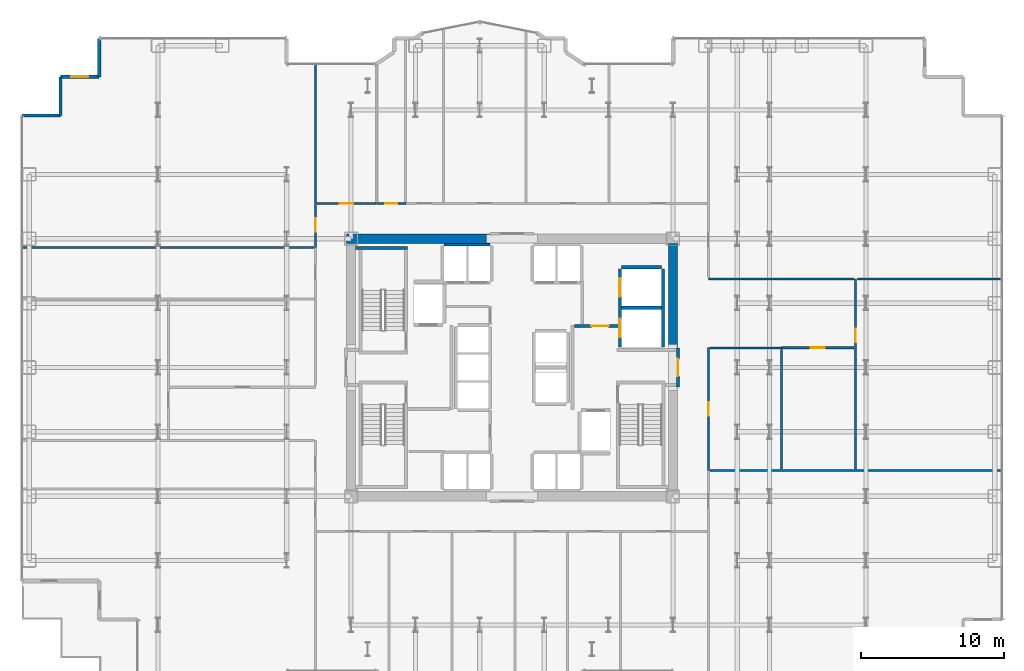
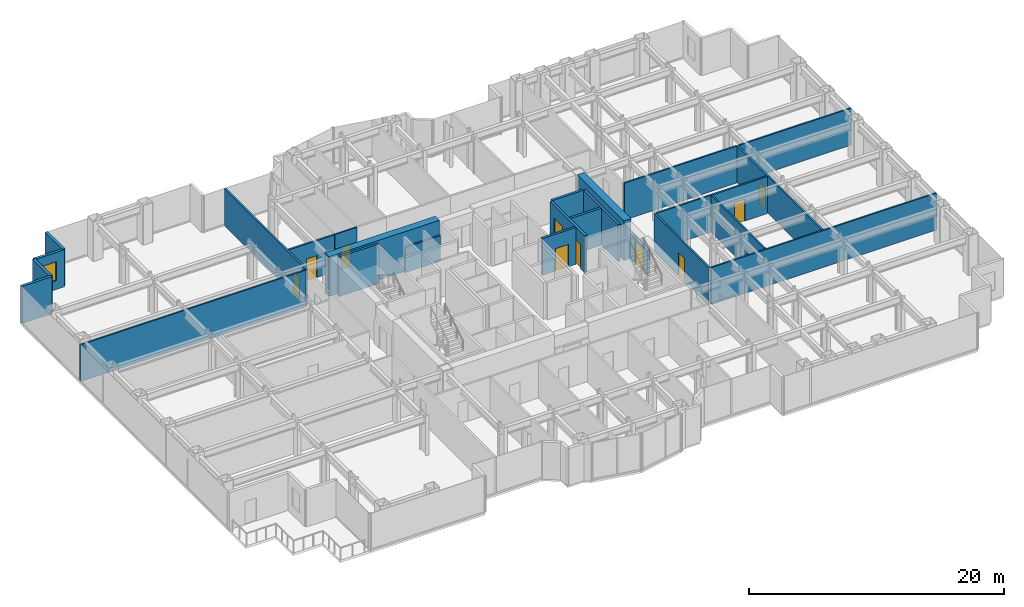
# One storey, part 23 of 27: 26 walls, 10 doors, 1 window, 11 openings.
"""IFC4 building model written with IfcOpenShell, lengths in metres."""

from ifc_helpers import new_model, si_unit, direction, frame, frame_2d, origin, place, context, subcontext, project, spatial, rectangle, extrude, source, transform, mapped, material, layer, layer_set, type_object, element, fill, save


model = new_model("IFC4")

# Units and contexts
model_context = context("Model", 3, precision=1e-05, world=origin(), true_north=direction((0.0, 1.0)))
body_context = subcontext(model_context, "Body", "Model", "MODEL_VIEW")
ifc_project = project(units=[si_unit("LENGTHUNIT", "METRE"), si_unit("AREAUNIT", "SQUARE_METRE"), si_unit("VOLUMEUNIT", "CUBIC_METRE"), si_unit("PLANEANGLEUNIT", "RADIAN"), si_unit("MASSUNIT", "GRAM", prefix="KILO")], contexts=[model_context])

# Site, building, storey
site_placement = place(None, origin())
site = spatial("IfcSite", under=ifc_project, at=site_placement, CompositionType="ELEMENT")
building_placement = place(site_placement, origin())
building = spatial("IfcBuilding", under=site, at=building_placement, Name="Nefas-Gora Pilgrimage Tower", CompositionType="ELEMENT")
storey_placement = place(building_placement, frame((0.0, 0.0, 48.199951171875)))
storey = spatial("IfcBuildingStorey", under=building, at=storey_placement, Name="L10", CompositionType="ELEMENT", Elevation=48.199951171875)

# Walls
ifc_material_1 = material(Name="Concrete C60/75", Category="concrete")
ifc_layer_1 = layer(ifc_material_1, 0.64990234375)
ifc_layer_set_1 = layer_set([ifc_layer_1], Name="Concrete C60/75")
wall_type_1 = type_object("IfcWallType", Name="SW-CORE-650", PredefinedType="SHEAR", material=ifc_layer_set_1)
shared_shape_1 = source(origin(), body_context, "Body", "SweptSolid", [
    extrude(rectangle(XDim=10.02490234375, YDim=0.64990234375, at=frame_2d((5.012451171875, 0.0))), origin(), (0.0, 0.0, 1.0), 3.800048828125),
])
wall_1_placement = place(storey_placement, frame((-11.574951171875, 9.0, 0.0), z_axis=(0.0, 0.0, 1.0), x_axis=(1.0, 0.0, 0.0)))
element("IfcWall", 1, at=wall_1_placement, inside=storey, type_object=wall_type_1, Name="L10 Core Shear Wall N-West", PredefinedType="SHEAR", context=body_context, shape_type="MappedRepresentation", body=[
    mapped(shared_shape_1, transform((0.0, 0.0, 0.0), x_axis=(1.0, 0.0, 0.0), y_axis=(0.0, 1.0, 0.0), z_axis=(0.0, 0.0, 1.0), scale=1.0)),
])
shared_shape_2 = source(origin(), body_context, "Body", "SweptSolid", [
    extrude(rectangle(XDim=7.324951171875, YDim=0.64990234375, at=frame_2d((3.66259765625, 0.0))), origin(), (0.0, 0.0, 1.0), 3.800048828125),
])
wall_2_placement = place(storey_placement, frame((11.25, 1.35009765625, 0.0), z_axis=(0.0, 0.0, 1.0), x_axis=(0.0, 1.0, 0.0)))
element("IfcWall", 2, at=wall_2_placement, inside=storey, type_object=wall_type_1, Name="L10 Core Shear Wall E-North", PredefinedType="SHEAR", context=body_context, shape_type="MappedRepresentation", body=[
    mapped(shared_shape_2, transform((0.0, 0.0, 0.0), x_axis=(1.0, 0.0, 0.0), y_axis=(0.0, 1.0, 0.0), z_axis=(0.0, 0.0, 1.0), scale=1.0)),
])
ifc_material_2 = material(Name="Precast concrete C45/55", Category="concrete")
ifc_layer_2 = layer(ifc_material_2, 0.239990234375)
ifc_layer_set_2 = layer_set([ifc_layer_2], Name="Precast concrete C45/55")
wall_type_2 = type_object("IfcWallType", Name="EW-SERR-240", PredefinedType="SHEAR", material=ifc_layer_set_2)
shared_shape_3 = source(origin(), body_context, "Body", "SweptSolid", [
    extrude(rectangle(XDim=2.699951171875, YDim=0.239990234375, at=frame_2d((1.35009765625, 0.0))), origin(), (0.0, 0.0, 1.0), 3.550048828125),
])
wall_3_placement = place(storey_placement, frame((-28.8701171875, 23.02001953125, 0.0), z_axis=(0.0, 0.0, 1.0), x_axis=(0.0, -1.0, 0.0)))
element("IfcWall", 3, at=wall_3_placement, inside=storey, type_object=wall_type_2, Name="L10 Serrated Corner Shear Pier Wall 20", PredefinedType="SHEAR", context=body_context, shape_type="MappedRepresentation", body=[
    mapped(shared_shape_3, transform((0.0, 0.0, 0.0), x_axis=(1.0, 0.0, 0.0), y_axis=(0.0, 1.0, 0.0), z_axis=(0.0, 0.0, 1.0), scale=1.0)),
])

# Wall, opening, window
wall_4_placement = place(storey_placement, frame((-28.8701171875, 20.320068359375, 0.0), z_axis=(0.0, 0.0, 1.0), x_axis=(-1.0, 0.0, 0.0)))
wall_4 = element("IfcWall", 4, at=wall_4_placement, inside=storey, type_object=wall_type_2, Name="L10 Serrated Corner Shear Pier Wall 21", PredefinedType="SHEAR", context=body_context, shape_type="MappedRepresentation", body=[
    mapped(shared_shape_3, transform((0.0, 0.0, 0.0), x_axis=(1.0, 0.0, 0.0), y_axis=(0.0, 1.0, 0.0), z_axis=(0.0, 0.0, 1.0), scale=1.0)),
])
opening_1_placement = place(wall_4_placement, frame((0.75, 0.0, 0.85009765625)))
opening_1 = element("IfcOpeningElement", 5, at=opening_1_placement, cuts=wall_4, Name="Opening W-V1", PredefinedType="OPENING", context=body_context, shape_type="SweptSolid", body=[
    extrude(rectangle(XDim=1.199951171875, YDim=1.800048828125, at=frame_2d((0.60009765625, 0.89990234375))), frame((0.0, 0.1298828125, 0.0), z_axis=(0.0, -1.0, 0.0), x_axis=(1.0, 0.0, 0.0)), (0.0, 0.0, 1.0), 0.260009765625),
])
ifc_material_3 = material(Name="Dark ceramic-fritted operable aluminium-glass window", Category="aluminium")
window_type = type_object("IfcWindowType", Name="WIN-VENT-1200x1800", PartitioningType="SINGLE_PANEL", PredefinedType="WINDOW", material=ifc_material_3)
shared_shape_4 = source(origin(), body_context, "Body", "SweptSolid", [
    extrude(rectangle(XDim=1.199951171875, YDim=1.800048828125, at=frame_2d((0.60009765625, 0.89990234375))), frame((0.0, 0.030029296875, 0.0), z_axis=(0.0, -1.0, 0.0), x_axis=(1.0, 0.0, 0.0)), (0.0, 0.0, 1.0), 0.06005859375),
])
window_placement = place(opening_1_placement, origin())
window = element("IfcWindow", 6, at=window_placement, inside=storey, type_object=window_type, Name="L10 Operable Parallel-Outswing Window 21", OverallHeight=1.800048828125, OverallWidth=1.199951171875, PartitioningType="SINGLE_PANEL", PredefinedType="WINDOW", context=body_context, shape_type="MappedRepresentation", body=[
    mapped(shared_shape_4, transform((0.0, 0.0, 0.0), x_axis=(1.0, 0.0, 0.0), y_axis=(0.0, 1.0, 0.0), z_axis=(0.0, 0.0, 1.0), scale=1.0)),
])
fill(opening_1, window)

# Walls
for number, where, z_axis, x_axis, name in (
    (7, (-31.570068359375, 20.320068359375, 0.0), (0.0, 0.0, 1.0), (0.0, -1.0, 0.0), "L10 Serrated Corner Shear Pier Wall 22"),
    (8, (-31.570068359375, 17.6201171875, 0.0), (0.0, 0.0, 1.0), (-1.0, 0.0, 0.0), "L10 Serrated Corner Shear Pier Wall 23"),
):
    element("IfcWall", number, at=place(storey_placement, frame(where, z_axis=z_axis, x_axis=x_axis)), inside=storey, type_object=wall_type_2, Name=name, PredefinedType="SHEAR", context=body_context, shape_type="MappedRepresentation", body=[
        mapped(shared_shape_3, transform((0.0, 0.0, 0.0), x_axis=(1.0, 0.0, 0.0), y_axis=(0.0, 1.0, 0.0), z_axis=(0.0, 0.0, 1.0), scale=1.0)),
    ])
ifc_material_4 = material(Name="Concrete C45/55", Category="concrete")
ifc_layer_3 = layer(ifc_material_4, 0.199951171875)
ifc_layer_set_3 = layer_set([ifc_layer_3], Name="Concrete C45/55")
wall_type_3 = type_object("IfcWallType", Name="IW-STAIR-200", PredefinedType="SOLIDWALL", material=ifc_layer_set_3)
shared_shape_5 = source(origin(), body_context, "Body", "SweptSolid", [
    extrude(rectangle(XDim=3.6298828125, YDim=0.199951171875, at=frame_2d((1.81494140625, 0.0))), origin(), (0.0, 0.0, 1.0), 3.800048828125),
])
wall_5_placement = place(storey_placement, frame((-7.300048828125, 8.35009765625, 0.0), z_axis=(0.0, 0.0, 1.0), x_axis=(-1.0, 0.0, 0.0)))
element("IfcWall", 9, at=wall_5_placement, inside=storey, type_object=wall_type_3, Name="L10 Stairwell Shear Wall ST-01-far", PredefinedType="SOLIDWALL", context=body_context, shape_type="MappedRepresentation", body=[
    mapped(shared_shape_5, transform((0.0, 0.0, 0.0), x_axis=(1.0, 0.0, 0.0), y_axis=(0.0, 1.0, 0.0), z_axis=(0.0, 0.0, 1.0), scale=1.0)),
])
ifc_material_5 = material(Name="Gypsum acoustic stud partition")
ifc_layer_4 = layer(ifc_material_5, 0.159912109375)
ifc_layer_set_4 = layer_set([ifc_layer_4], Name="Gypsum acoustic stud partition")
wall_type_4 = type_object("IfcWallType", Name="IW-CORR-160", PredefinedType="PARTITIONING", material=ifc_layer_set_4)
shared_shape_6 = source(origin(), body_context, "Body", "SweptSolid", [
    extrude(rectangle(XDim=3.199951171875, YDim=0.159912109375, at=frame_2d((1.60009765625, 0.0))), origin(), (0.0, 0.0, 1.0), 2.425048828125),
])
wall_6_placement = place(storey_placement, frame((-1.550048828125, 8.580078125, 0.0), z_axis=(0.0, 0.0, 1.0), x_axis=(-1.0, 0.0, 0.0)))
element("IfcWall", 10, at=wall_6_placement, inside=storey, type_object=wall_type_4, Name="L10 Hoistway Wall PL1-W-N", PredefinedType="PARTITIONING", context=body_context, shape_type="MappedRepresentation", body=[
    mapped(shared_shape_6, transform((0.0, 0.0, 0.0), x_axis=(1.0, 0.0, 0.0), y_axis=(0.0, 1.0, 0.0), z_axis=(0.0, 0.0, 1.0), scale=1.0)),
])

# Wall, openings, doors
ifc_material_6 = material(Name="Concrete C40/50", Category="concrete")
ifc_layer_5 = layer(ifc_material_6, 0.219970703125)
ifc_layer_set_5 = layer_set([ifc_layer_5], Name="Concrete C40/50")
wall_type_5 = type_object("IfcWallType", Name="IW-SHAFT-220", PredefinedType="SOLIDWALL", material=ifc_layer_set_5)
shared_shape_7 = source(origin(), body_context, "Body", "SweptSolid", [
    extrude(rectangle(XDim=5.449951171875, YDim=0.219970703125, at=frame_2d((2.72509765625, 0.0))), origin(), (0.0, 0.0, 1.0), 3.53515625),
])
wall_7_placement = place(storey_placement, frame((7.5400390625, 6.89990234375, 0.0), z_axis=(0.0, 0.0, 1.0), x_axis=(0.0, -1.0, 0.0)))
wall_7 = element("IfcWall", 11, at=wall_7_placement, inside=storey, type_object=wall_type_5, Name="L10 Hoistway Wall SL-01-02-W", PredefinedType="SOLIDWALL", context=body_context, shape_type="MappedRepresentation", body=[
    mapped(shared_shape_7, transform((0.0, 0.0, 0.0), x_axis=(1.0, 0.0, 0.0), y_axis=(0.0, 1.0, 0.0), z_axis=(0.0, 0.0, 1.0), scale=1.0)),
])
opening_2_placement = place(wall_7_placement, frame((3.5, 0.0, 0.0)))
opening_2 = element("IfcOpeningElement", 12, at=opening_2_placement, cuts=wall_7, Name="Opening LD-SV", PredefinedType="OPENING", context=body_context, shape_type="SweptSolid", body=[
    extrude(rectangle(XDim=1.300048828125, YDim=2.300048828125, at=frame_2d((0.64990234375, 1.14990234375))), frame((0.0, 0.119873046875, 0.0), z_axis=(0.0, -1.0, 0.0), x_axis=(1.0, 0.0, 0.0)), (0.0, 0.0, 1.0), 0.239990234375),
])
opening_3_placement = place(wall_7_placement, frame((0.64990234375, 0.0, 0.0)))
opening_3 = element("IfcOpeningElement", 13, at=opening_3_placement, cuts=wall_7, Name="Opening LD-SV", PredefinedType="OPENING", context=body_context, shape_type="SweptSolid", body=[
    extrude(rectangle(XDim=1.300048828125, YDim=2.300048828125, at=frame_2d((0.64990234375, 1.14990234375))), frame((0.0, 0.119873046875, 0.0), z_axis=(0.0, -1.0, 0.0), x_axis=(1.0, 0.0, 0.0)), (0.0, 0.0, 1.0), 0.239990234375),
])
ifc_material_7 = material(Name="Heavy goods sliding lift landing door")
door_type_1 = type_object("IfcDoorType", Name="DR-LIFT-SERV-1300", OperationType="SLIDING_TO_RIGHT", PredefinedType="DOOR", material=ifc_material_7)
shared_shape_8 = source(origin(), body_context, "Body", "SweptSolid", [
    extrude(rectangle(XDim=1.300048828125, YDim=2.300048828125, at=frame_2d((0.64990234375, 1.14990234375))), frame((0.0, 0.02490234375, 0.0), z_axis=(0.0, -1.0, 0.0), x_axis=(1.0, 0.0, 0.0)), (0.0, 0.0, 1.0), 0.050048828125),
])
door_1_placement = place(opening_2_placement, origin())
door_1 = element("IfcDoor", 14, at=door_1_placement, inside=storey, type_object=door_type_1, Name="L10 Sliding Lift Landing Door SL-01", OperationType="SLIDING_TO_RIGHT", OverallHeight=2.300048828125, OverallWidth=1.300048828125, PredefinedType="DOOR", context=body_context, shape_type="MappedRepresentation", body=[
    mapped(shared_shape_8, transform((0.0, 0.0, 0.0), x_axis=(1.0, 0.0, 0.0), y_axis=(0.0, 1.0, 0.0), z_axis=(0.0, 0.0, 1.0), scale=1.0)),
])
fill(opening_2, door_1)
door_2_placement = place(opening_3_placement, origin())
door_2 = element("IfcDoor", 15, at=door_2_placement, inside=storey, type_object=door_type_1, Name="L10 Sliding Lift Landing Door SL-02", OperationType="SLIDING_TO_RIGHT", OverallHeight=2.300048828125, OverallWidth=1.300048828125, PredefinedType="DOOR", context=body_context, shape_type="MappedRepresentation", body=[
    mapped(shared_shape_8, transform((0.0, 0.0, 0.0), x_axis=(1.0, 0.0, 0.0), y_axis=(0.0, 1.0, 0.0), z_axis=(0.0, 0.0, 1.0), scale=1.0)),
])
fill(opening_3, door_2)

# Walls
wall_8_placement = place(storey_placement, frame((10.56005859375, 1.449951171875, 0.0), z_axis=(0.0, 0.0, 1.0), x_axis=(0.0, 1.0, 0.0)))
element("IfcWall", 16, at=wall_8_placement, inside=storey, type_object=wall_type_5, Name="L10 Hoistway Wall SL-01-02-E", PredefinedType="SOLIDWALL", context=body_context, shape_type="MappedRepresentation", body=[
    mapped(shared_shape_7, transform((0.0, 0.0, 0.0), x_axis=(1.0, 0.0, 0.0), y_axis=(0.0, 1.0, 0.0), z_axis=(0.0, 0.0, 1.0), scale=1.0)),
])
shared_shape_9 = source(origin(), body_context, "Body", "SweptSolid", [
    extrude(rectangle(XDim=2.780029296875, YDim=0.219970703125, at=frame_2d((1.39013671875, 0.0))), origin(), (0.0, 0.0, 1.0), 3.53515625),
])
for number, where, z_axis, x_axis, name in (
    (17, (7.659912109375, 4.175048828125, 0.0), (0.0, 0.0, 1.0), (1.0, 0.0, 0.0), "L10 Hoistway Wall SL-01-02-DIV"),
    (18, (10.43994140625, 7.010009765625, 0.0), (0.0, 0.0, 1.0), (-1.0, 0.0, 0.0), "L10 Hoistway Wall SL-02-N"),
):
    element("IfcWall", number, at=place(storey_placement, frame(where, z_axis=z_axis, x_axis=x_axis)), inside=storey, type_object=wall_type_5, Name=name, PredefinedType="SOLIDWALL", context=body_context, shape_type="MappedRepresentation", body=[
        mapped(shared_shape_9, transform((0.0, 0.0, 0.0), x_axis=(1.0, 0.0, 0.0), y_axis=(0.0, 1.0, 0.0), z_axis=(0.0, 0.0, 1.0), scale=1.0)),
    ])

# Wall, opening, door
ifc_material_8 = material(Name="Gypsum fire-rated shaftwall")
ifc_layer_6 = layer(ifc_material_8, 0.199951171875)
ifc_layer_set_6 = layer_set([ifc_layer_6], Name="Gypsum fire-rated shaftwall")
wall_type_6 = type_object("IfcWallType", Name="IW-FFLOB-200", PredefinedType="PARTITIONING", material=ifc_layer_set_6)
shared_shape_10 = source(origin(), body_context, "Body", "SweptSolid", [
    extrude(rectangle(XDim=2.7001953125, YDim=0.199951171875, at=frame_2d((1.35009765625, 0.0))), origin(), (0.0, 0.0, 1.0), 2.425048828125),
])
wall_9_placement = place(storey_placement, frame((11.60009765625, -1.35009765625, 0.0), z_axis=(0.0, 0.0, 1.0), x_axis=(0.0, 1.0, 0.0)))
wall_9 = element("IfcWall", 19, at=wall_9_placement, inside=storey, type_object=wall_type_6, Name="L10 FF Lobby East Portal Wall 8", PredefinedType="PARTITIONING", context=body_context, shape_type="MappedRepresentation", body=[
    mapped(shared_shape_10, transform((0.0, 0.0, 0.0), x_axis=(1.0, 0.0, 0.0), y_axis=(0.0, 1.0, 0.0), z_axis=(0.0, 0.0, 1.0), scale=1.0)),
])
opening_4_placement = place(wall_9_placement, frame((0.75, 0.0, 0.0)))
opening_4 = element("IfcOpeningElement", 20, at=opening_4_placement, cuts=wall_9, Name="Opening ID-FF1", PredefinedType="OPENING", context=body_context, shape_type="SweptSolid", body=[
    extrude(rectangle(XDim=1.199951171875, YDim=2.14990234375, at=frame_2d((0.60009765625, 1.074951171875))), frame((0.0, 0.10986328125, 0.0), z_axis=(0.0, -1.0, 0.0), x_axis=(1.0, 0.0, 0.0)), (0.0, 0.0, 1.0), 0.219970703125),
])
ifc_material_9 = material(Name="Smoke-sealed steel firefighting lobby door", Category="steel")
door_type_2 = type_object("IfcDoorType", Name="DR-INT-FFLOB-1200", OperationType="NOTDEFINED", PredefinedType="DOOR", material=ifc_material_9)
shared_shape_11 = source(origin(), body_context, "Body", "SweptSolid", [
    extrude(rectangle(XDim=1.199951171875, YDim=2.14990234375, at=frame_2d((0.60009765625, 1.074951171875))), frame((0.0, 0.02490234375, 0.0), z_axis=(0.0, -1.0, 0.0), x_axis=(1.0, 0.0, 0.0)), (0.0, 0.0, 1.0), 0.050048828125),
])
door_3_placement = place(opening_4_placement, origin())
door_3 = element("IfcDoor", 21, at=door_3_placement, inside=storey, type_object=door_type_2, Name="L10 FF Lobby East Portal Door 2", OperationType="SINGLE_SWING_LEFT", OverallHeight=2.14990234375, OverallWidth=1.199951171875, PredefinedType="DOOR", context=body_context, shape_type="MappedRepresentation", body=[
    mapped(shared_shape_11, transform((0.0, 0.0, 0.0), x_axis=(1.0, 0.0, 0.0), y_axis=(0.0, 1.0, 0.0), z_axis=(0.0, 0.0, 1.0), scale=1.0)),
])
fill(opening_4, door_3)

shared_shape_12 = source(origin(), body_context, "Body", "SweptSolid", [
    extrude(rectangle(XDim=3.039794921875, YDim=0.199951171875, at=frame_2d((1.52001953125, 0.0))), origin(), (0.0, 0.0, 1.0), 3.53515625),
])
wall_10_placement = place(storey_placement, frame((4.360107421875, 2.89990234375, 0.0), z_axis=(0.0, 0.0, 1.0), x_axis=(1.0, 0.0, 0.0)))
wall_10 = element("IfcWall", 22, at=wall_10_placement, inside=storey, type_object=wall_type_6, Name="L10 FF Lobby East North Wall Wall 10", PredefinedType="PARTITIONING", context=body_context, shape_type="MappedRepresentation", body=[
    mapped(shared_shape_12, transform((0.0, 0.0, 0.0), x_axis=(1.0, 0.0, 0.0), y_axis=(0.0, 1.0, 0.0), z_axis=(0.0, 0.0, 1.0), scale=1.0)),
])
opening_5_placement = place(wall_10_placement, frame((1.18994140625, 0.0, 0.0)))
opening_5 = element("IfcOpeningElement", 23, at=opening_5_placement, cuts=wall_10, Name="Opening ID-PL1", PredefinedType="OPENING", context=body_context, shape_type="SweptSolid", body=[
    extrude(rectangle(XDim=1.199951171875, YDim=2.14990234375, at=frame_2d((0.60009765625, 1.074951171875))), frame((0.0, 0.10986328125, 0.0), z_axis=(0.0, -1.0, 0.0), x_axis=(1.0, 0.0, 0.0)), (0.0, 0.0, 1.0), 0.219970703125),
])
ifc_material_10 = material(Name="Heavy-duty steel plant room fire door", Category="steel")
door_type_3 = type_object("IfcDoorType", Name="DR-INT-PLANT-1200", OperationType="NOTDEFINED", PredefinedType="DOOR", material=ifc_material_10)
door_4_placement = place(opening_5_placement, origin())
door_4 = element("IfcDoor", 24, at=door_4_placement, inside=storey, type_object=door_type_3, Name="L10 Service Lift Lobby Door Door 3", OperationType="SINGLE_SWING_RIGHT", OverallHeight=2.14990234375, OverallWidth=1.199951171875, PredefinedType="DOOR", context=body_context, shape_type="MappedRepresentation", body=[
    mapped(shared_shape_11, transform((0.0, 0.0, 0.0), x_axis=(1.0, 0.0, 0.0), y_axis=(0.0, 1.0, 0.0), z_axis=(0.0, 0.0, 1.0), scale=1.0)),
])
fill(opening_5, door_4)

ifc_material_11 = material(Name="Moisture-resistant fire-rated gypsum partition")
ifc_layer_7 = layer(ifc_material_11, 0.1201171875)
ifc_layer_set_7 = layer_set([ifc_layer_7], Name="Moisture-resistant fire-rated gypsum partition")
wall_type_7 = type_object("IfcWallType", Name="IW-WET-120", PredefinedType="PLUMBINGWALL", material=ifc_layer_set_7)
shared_shape_13 = source(origin(), body_context, "Body", "SweptSolid", [
    extrude(rectangle(XDim=2.02001953125, YDim=0.1201171875, at=frame_2d((1.010009765625, 0.0))), origin(), (0.0, 0.0, 1.0), 3.53515625),
])
wall_11_placement = place(storey_placement, frame((-9.4599609375, 11.469970703125, 0.0), z_axis=(0.0, 0.0, 1.0), x_axis=(1.0, 0.0, 0.0)))
wall_11 = element("IfcWall", 25, at=wall_11_placement, inside=storey, type_object=wall_type_7, Name="L10 Accessible Unisex WC Partition Wall 20", PredefinedType="PLUMBINGWALL", context=body_context, shape_type="MappedRepresentation", body=[
    mapped(shared_shape_13, transform((0.0, 0.0, 0.0), x_axis=(1.0, 0.0, 0.0), y_axis=(0.0, 1.0, 0.0), z_axis=(0.0, 0.0, 1.0), scale=1.0)),
])
opening_6_placement = place(wall_11_placement, frame((0.5849609375, 0.0, 0.0)))
opening_6 = element("IfcOpeningElement", 26, at=opening_6_placement, cuts=wall_11, Name="Opening ID-BT1", PredefinedType="OPENING", context=body_context, shape_type="SweptSolid", body=[
    extrude(rectangle(XDim=0.85009765625, YDim=2.10009765625, at=frame_2d((0.425048828125, 1.050048828125))), frame((0.0, 0.070068359375, 0.0), z_axis=(0.0, -1.0, 0.0), x_axis=(1.0, 0.0, 0.0)), (0.0, 0.0, 1.0), 0.14013671875),
])
ifc_material_12 = material(Name="Moisture-resistant fire-rated timber door", Category="wood")
door_type_4 = type_object("IfcDoorType", Name="DR-INT-BATH-850", OperationType="NOTDEFINED", PredefinedType="DOOR", material=ifc_material_12)
shared_shape_14 = source(origin(), body_context, "Body", "SweptSolid", [
    extrude(rectangle(XDim=0.85009765625, YDim=2.10009765625, at=frame_2d((0.425048828125, 1.050048828125))), frame((0.0, 0.02490234375, 0.0), z_axis=(0.0, -1.0, 0.0), x_axis=(1.0, 0.0, 0.0)), (0.0, 0.0, 1.0), 0.050048828125),
])
door_5_placement = place(opening_6_placement, origin())
door_5 = element("IfcDoor", 27, at=door_5_placement, inside=storey, type_object=door_type_4, Name="L10 Accessible Unisex WC Door 8", OperationType="SINGLE_SWING_LEFT", OverallHeight=2.10009765625, OverallWidth=0.85009765625, PredefinedType="DOOR", context=body_context, shape_type="MappedRepresentation", body=[
    mapped(shared_shape_14, transform((0.0, 0.0, 0.0), x_axis=(1.0, 0.0, 0.0), y_axis=(0.0, 1.0, 0.0), z_axis=(0.0, 0.0, 1.0), scale=1.0)),
])
fill(opening_6, door_5)

shared_shape_15 = source(origin(), body_context, "Body", "SweptSolid", [
    extrude(rectangle(XDim=12.844970703125, YDim=0.159912109375, at=frame_2d((6.42236328125, 0.0))), origin(), (0.0, 0.0, 1.0), 3.53515625),
])
wall_12_placement = place(storey_placement, frame((-13.739990234375, 8.39501953125, 0.0), z_axis=(0.0, 0.0, 1.0), x_axis=(0.0, 1.0, 0.0)))
wall_12 = element("IfcWall", 28, at=wall_12_placement, inside=storey, type_object=wall_type_4, Name="L10 Pilgrim Refectory Lounge Partition Wall 33", PredefinedType="PARTITIONING", context=body_context, shape_type="MappedRepresentation", body=[
    mapped(shared_shape_15, transform((0.0, 0.0, 0.0), x_axis=(1.0, 0.0, 0.0), y_axis=(0.0, 1.0, 0.0), z_axis=(0.0, 0.0, 1.0), scale=1.0)),
])
opening_7_placement = place(wall_12_placement, frame((1.08251953125, 0.0, 0.0)))
opening_7 = element("IfcOpeningElement", 29, at=opening_7_placement, cuts=wall_12, Name="Opening ID-GR1", PredefinedType="OPENING", context=body_context, shape_type="SweptSolid", body=[
    extrude(rectangle(XDim=0.949951171875, YDim=2.10009765625, at=frame_2d((0.47509765625, 1.050048828125))), frame((0.0, 0.08984375, 0.0), z_axis=(0.0, -1.0, 0.0), x_axis=(1.0, 0.0, 0.0)), (0.0, 0.0, 1.0), 0.179931640625),
])
ifc_material_13 = material(Name="Solid core oak fire-rated guest entrance door")
door_type_5 = type_object("IfcDoorType", Name="DR-INT-GUEST-950", OperationType="NOTDEFINED", PredefinedType="DOOR", material=ifc_material_13)
shared_shape_16 = source(origin(), body_context, "Body", "SweptSolid", [
    extrude(rectangle(XDim=0.949951171875, YDim=2.10009765625, at=frame_2d((0.47509765625, 1.050048828125))), frame((0.0, 0.02490234375, 0.0), z_axis=(0.0, -1.0, 0.0), x_axis=(1.0, 0.0, 0.0)), (0.0, 0.0, 1.0), 0.050048828125),
])
door_6_placement = place(opening_7_placement, origin())
door_6 = element("IfcDoor", 30, at=door_6_placement, inside=storey, type_object=door_type_5, Name="L10 Pilgrim Refectory Lounge Door 14", OperationType="SINGLE_SWING_LEFT", OverallHeight=2.10009765625, OverallWidth=0.949951171875, PredefinedType="DOOR", context=body_context, shape_type="MappedRepresentation", body=[
    mapped(shared_shape_16, transform((0.0, 0.0, 0.0), x_axis=(1.0, 0.0, 0.0), y_axis=(0.0, 1.0, 0.0), z_axis=(0.0, 0.0, 1.0), scale=1.0)),
])
fill(opening_7, door_6)

shared_shape_17 = source(origin(), body_context, "Body", "SweptSolid", [
    extrude(rectangle(XDim=13.300048828125, YDim=0.159912109375, at=frame_2d((6.64990234375, 0.0))), origin(), (0.0, 0.0, 1.0), 3.53515625),
])
wall_13_placement = place(storey_placement, frame((24.02001953125, -7.094970703125, 0.0), z_axis=(0.0, 0.0, 1.0), x_axis=(0.0, 1.0, 0.0)))
wall_13 = element("IfcWall", 31, at=wall_13_placement, inside=storey, type_object=wall_type_4, Name="L10 Pilgrim Contemplative Lounge Partition Wall 36", PredefinedType="PARTITIONING", context=body_context, shape_type="MappedRepresentation", body=[
    mapped(shared_shape_17, transform((0.0, 0.0, 0.0), x_axis=(1.0, 0.0, 0.0), y_axis=(0.0, 1.0, 0.0), z_axis=(0.0, 0.0, 1.0), scale=1.0)),
])
opening_8_placement = place(wall_13_placement, frame((8.8701171875, 0.0, 0.0)))
opening_8 = element("IfcOpeningElement", 32, at=opening_8_placement, cuts=wall_13, Name="Opening ID-GR1", PredefinedType="OPENING", context=body_context, shape_type="SweptSolid", body=[
    extrude(rectangle(XDim=0.949951171875, YDim=2.10009765625, at=frame_2d((0.47509765625, 1.050048828125))), frame((0.0, 0.08984375, 0.0), z_axis=(0.0, -1.0, 0.0), x_axis=(1.0, 0.0, 0.0)), (0.0, 0.0, 1.0), 0.179931640625),
])
door_7_placement = place(opening_8_placement, origin())
door_7 = element("IfcDoor", 33, at=door_7_placement, inside=storey, type_object=door_type_5, Name="L10 Pilgrim Contemplative Lounge Door 16", OperationType="SINGLE_SWING_LEFT", OverallHeight=2.10009765625, OverallWidth=0.949951171875, PredefinedType="DOOR", context=body_context, shape_type="MappedRepresentation", body=[
    mapped(shared_shape_16, transform((0.0, 0.0, 0.0), x_axis=(1.0, 0.0, 0.0), y_axis=(0.0, 1.0, 0.0), z_axis=(0.0, 0.0, 1.0), scale=1.0)),
])
fill(opening_8, door_7)

# Wall
ifc_material_14 = material(Name="Gypsum twin-stud partition")
ifc_layer_8 = layer(ifc_material_14, 0.139892578125)
ifc_layer_set_8 = layer_set([ifc_layer_8], Name="Gypsum twin-stud partition")
wall_type_8 = type_object("IfcWallType", Name="IW-UNIT-140", PredefinedType="PARTITIONING", material=ifc_layer_set_8)
shared_shape_18 = source(origin(), body_context, "Body", "SweptSolid", [
    extrude(rectangle(XDim=10.169921875, YDim=0.139892578125, at=frame_2d((5.0849609375, 0.0))), origin(), (0.0, 0.0, 1.0), 3.53515625),
])
wall_14_placement = place(storey_placement, frame((13.72998046875, 6.195068359375, 0.0), z_axis=(0.0, 0.0, 1.0), x_axis=(1.0, 0.0, 0.0)))
element("IfcWall", 34, at=wall_14_placement, inside=storey, type_object=wall_type_8, Name="L10 Pilgrim Contemplative Lounge Partition Wall 37", PredefinedType="PARTITIONING", context=body_context, shape_type="MappedRepresentation", body=[
    mapped(shared_shape_18, transform((0.0, 0.0, 0.0), x_axis=(1.0, 0.0, 0.0), y_axis=(0.0, 1.0, 0.0), z_axis=(0.0, 0.0, 1.0), scale=1.0)),
])

# Wall, opening, door
shared_shape_19 = source(origin(), body_context, "Body", "SweptSolid", [
    extrude(rectangle(XDim=8.594970703125, YDim=0.159912109375, at=frame_2d((4.29736328125, 0.0))), origin(), (0.0, 0.0, 1.0), 3.53515625),
])
wall_15_placement = place(storey_placement, frame((13.739990234375, -7.205078125, 0.0), z_axis=(0.0, 0.0, 1.0), x_axis=(0.0, 1.0, 0.0)))
wall_15 = element("IfcWall", 35, at=wall_15_placement, inside=storey, type_object=wall_type_4, Name="L10 Pilgrim Contemplative Lounge Partition Wall 39", PredefinedType="PARTITIONING", context=body_context, shape_type="MappedRepresentation", body=[
    mapped(shared_shape_19, transform((0.0, 0.0, 0.0), x_axis=(1.0, 0.0, 0.0), y_axis=(0.0, 1.0, 0.0), z_axis=(0.0, 0.0, 1.0), scale=1.0)),
])
opening_9_placement = place(wall_15_placement, frame((3.822509765625, 0.0, 0.0)))
opening_9 = element("IfcOpeningElement", 36, at=opening_9_placement, cuts=wall_15, Name="Opening ID-GR1", PredefinedType="OPENING", context=body_context, shape_type="SweptSolid", body=[
    extrude(rectangle(XDim=0.949951171875, YDim=2.10009765625, at=frame_2d((0.47509765625, 1.050048828125))), frame((0.0, 0.08984375, 0.0), z_axis=(0.0, -1.0, 0.0), x_axis=(1.0, 0.0, 0.0)), (0.0, 0.0, 1.0), 0.179931640625),
])
door_8_placement = place(opening_9_placement, origin())
door_8 = element("IfcDoor", 37, at=door_8_placement, inside=storey, type_object=door_type_5, Name="L10 Pilgrim Contemplative Lounge Door 17", OperationType="SINGLE_SWING_RIGHT", OverallHeight=2.10009765625, OverallWidth=0.949951171875, PredefinedType="DOOR", context=body_context, shape_type="MappedRepresentation", body=[
    mapped(shared_shape_16, transform((0.0, 0.0, 0.0), x_axis=(1.0, 0.0, 0.0), y_axis=(0.0, 1.0, 0.0), z_axis=(0.0, 0.0, 1.0), scale=1.0)),
])
fill(opening_9, door_8)

# Walls
shared_shape_20 = source(origin(), body_context, "Body", "SweptSolid", [
    extrude(rectangle(XDim=4.994873046875, YDim=0.139892578125, at=frame_2d((2.49755859375, 0.0))), origin(), (0.0, 0.0, 1.0), 3.53515625),
])
wall_16_placement = place(storey_placement, frame((13.860107421875, 1.3798828125, 0.0), z_axis=(0.0, 0.0, 1.0), x_axis=(1.0, 0.0, 0.0)))
element("IfcWall", 38, at=wall_16_placement, inside=storey, type_object=wall_type_8, Name="L10 Pilgrim Contemplative Lounge Partition Wall 40", PredefinedType="PARTITIONING", context=body_context, shape_type="MappedRepresentation", body=[
    mapped(shared_shape_20, transform((0.0, 0.0, 0.0), x_axis=(1.0, 0.0, 0.0), y_axis=(0.0, 1.0, 0.0), z_axis=(0.0, 0.0, 1.0), scale=1.0)),
])
shared_shape_21 = source(origin(), body_context, "Body", "SweptSolid", [
    extrude(rectangle(XDim=8.364990234375, YDim=0.139892578125, at=frame_2d((4.1826171875, 0.0))), origin(), (0.0, 0.0, 1.0), 3.53515625),
])
wall_17_placement = place(storey_placement, frame((18.844970703125, -7.094970703125, 0.0), z_axis=(0.0, 0.0, 1.0), x_axis=(0.0, 1.0, 0.0)))
element("IfcWall", 39, at=wall_17_placement, inside=storey, type_object=wall_type_8, Name="L10 Pilgrim Contemplative Lounge Partition Wall 41", PredefinedType="PARTITIONING", context=body_context, shape_type="MappedRepresentation", body=[
    mapped(shared_shape_21, transform((0.0, 0.0, 0.0), x_axis=(1.0, 0.0, 0.0), y_axis=(0.0, 1.0, 0.0), z_axis=(0.0, 0.0, 1.0), scale=1.0)),
])

# Wall, opening, door
shared_shape_22 = source(origin(), body_context, "Body", "SweptSolid", [
    extrude(rectangle(XDim=5.044921875, YDim=0.159912109375, at=frame_2d((2.5224609375, 0.0))), origin(), (0.0, 0.0, 1.0), 3.53515625),
])
wall_18_placement = place(storey_placement, frame((18.85498046875, 1.3798828125, 0.0), z_axis=(0.0, 0.0, 1.0), x_axis=(1.0, 0.0, 0.0)))
wall_18 = element("IfcWall", 40, at=wall_18_placement, inside=storey, type_object=wall_type_4, Name="L10 Pilgrim Contemplative Lounge Partition Wall 42", PredefinedType="PARTITIONING", context=body_context, shape_type="MappedRepresentation", body=[
    mapped(shared_shape_22, transform((0.0, 0.0, 0.0), x_axis=(1.0, 0.0, 0.0), y_axis=(0.0, 1.0, 0.0), z_axis=(0.0, 0.0, 1.0), scale=1.0)),
])
opening_10_placement = place(wall_18_placement, frame((2.047607421875, 0.0, 0.0)))
opening_10 = element("IfcOpeningElement", 41, at=opening_10_placement, cuts=wall_18, Name="Opening ID-GR1", PredefinedType="OPENING", context=body_context, shape_type="SweptSolid", body=[
    extrude(rectangle(XDim=0.949951171875, YDim=2.10009765625, at=frame_2d((0.47509765625, 1.050048828125))), frame((0.0, 0.08984375, 0.0), z_axis=(0.0, -1.0, 0.0), x_axis=(1.0, 0.0, 0.0)), (0.0, 0.0, 1.0), 0.179931640625),
])
door_9_placement = place(opening_10_placement, origin())
door_9 = element("IfcDoor", 42, at=door_9_placement, inside=storey, type_object=door_type_5, Name="L10 Pilgrim Contemplative Lounge Door 18", OperationType="SINGLE_SWING_LEFT", OverallHeight=2.10009765625, OverallWidth=0.949951171875, PredefinedType="DOOR", context=body_context, shape_type="MappedRepresentation", body=[
    mapped(shared_shape_16, transform((0.0, 0.0, 0.0), x_axis=(1.0, 0.0, 0.0), y_axis=(0.0, 1.0, 0.0), z_axis=(0.0, 0.0, 1.0), scale=1.0)),
])
fill(opening_10, door_9)

shared_shape_23 = source(origin(), body_context, "Body", "SweptSolid", [
    extrude(rectangle(XDim=4.125, YDim=0.159912109375, at=frame_2d((2.0625, 0.0))), origin(), (0.0, 0.0, 1.0), 3.53515625),
])
wall_19_placement = place(storey_placement, frame((-13.6201171875, 11.469970703125, 0.0), z_axis=(0.0, 0.0, 1.0), x_axis=(1.0, 0.0, 0.0)))
wall_19 = element("IfcWall", 43, at=wall_19_placement, inside=storey, type_object=wall_type_4, Name="L10 Pilgrim Contemplative Lounge Partition Wall 44", PredefinedType="PARTITIONING", context=body_context, shape_type="MappedRepresentation", body=[
    mapped(shared_shape_23, transform((0.0, 0.0, 0.0), x_axis=(1.0, 0.0, 0.0), y_axis=(0.0, 1.0, 0.0), z_axis=(0.0, 0.0, 1.0), scale=1.0)),
])
opening_11_placement = place(wall_19_placement, frame((1.58740234375, 0.0, 0.0)))
opening_11 = element("IfcOpeningElement", 44, at=opening_11_placement, cuts=wall_19, Name="Opening ID-GR1", PredefinedType="OPENING", context=body_context, shape_type="SweptSolid", body=[
    extrude(rectangle(XDim=0.949951171875, YDim=2.10009765625, at=frame_2d((0.47509765625, 1.050048828125))), frame((0.0, 0.08984375, 0.0), z_axis=(0.0, -1.0, 0.0), x_axis=(1.0, 0.0, 0.0)), (0.0, 0.0, 1.0), 0.179931640625),
])
door_10_placement = place(opening_11_placement, origin())
door_10 = element("IfcDoor", 45, at=door_10_placement, inside=storey, type_object=door_type_5, Name="L10 Pilgrim Contemplative Lounge Door 20", OperationType="SINGLE_SWING_LEFT", OverallHeight=2.10009765625, OverallWidth=0.949951171875, PredefinedType="DOOR", context=body_context, shape_type="MappedRepresentation", body=[
    mapped(shared_shape_16, transform((0.0, 0.0, 0.0), x_axis=(1.0, 0.0, 0.0), y_axis=(0.0, 1.0, 0.0), z_axis=(0.0, 0.0, 1.0), scale=1.0)),
])
fill(opening_11, door_10)

# Walls
shared_shape_24 = source(origin(), body_context, "Body", "SweptSolid", [
    extrude(rectangle(XDim=20.429931640625, YDim=0.139892578125, at=frame_2d((10.21484375, 0.0))), origin(), (0.0, 0.0, 1.0), 3.53515625),
])
for number, where, z_axis, x_axis, name in (
    (46, (-34.2900390625, 8.39501953125, 0.0), (0.0, 0.0, 1.0), (1.0, 0.0, 0.0), "L10 Pilgrim Fellowship Seminar Room Partition Wall 32"),
    (47, (13.860107421875, -7.205078125, 0.0), (0.0, 0.0, 1.0), (1.0, 0.0, 0.0), "L10 Pilgrim Contemplative Lounge Partition Wall 35"),
):
    element("IfcWall", number, at=place(storey_placement, frame(where, z_axis=z_axis, x_axis=x_axis)), inside=storey, type_object=wall_type_8, Name=name, PredefinedType="PARTITIONING", context=body_context, shape_type="MappedRepresentation", body=[
        mapped(shared_shape_24, transform((0.0, 0.0, 0.0), x_axis=(1.0, 0.0, 0.0), y_axis=(0.0, 1.0, 0.0), z_axis=(0.0, 0.0, 1.0), scale=1.0)),
    ])
shared_shape_25 = source(origin(), body_context, "Body", "SweptSolid", [
    extrude(rectangle(XDim=10.150146484375, YDim=0.139892578125, at=frame_2d((5.0751953125, 0.0))), origin(), (0.0, 0.0, 1.0), 3.53515625),
])
wall_20_placement = place(storey_placement, frame((24.139892578125, 6.195068359375, 0.0), z_axis=(0.0, 0.0, 1.0), x_axis=(1.0, 0.0, 0.0)))
element("IfcWall", 48, at=wall_20_placement, inside=storey, type_object=wall_type_8, Name="L10 Pilgrim Contemplative Lounge Partition Wall 38", PredefinedType="PARTITIONING", context=body_context, shape_type="MappedRepresentation", body=[
    mapped(shared_shape_25, transform((0.0, 0.0, 0.0), x_axis=(1.0, 0.0, 0.0), y_axis=(0.0, 1.0, 0.0), z_axis=(0.0, 0.0, 1.0), scale=1.0)),
])

save(model, "model.ifc")
